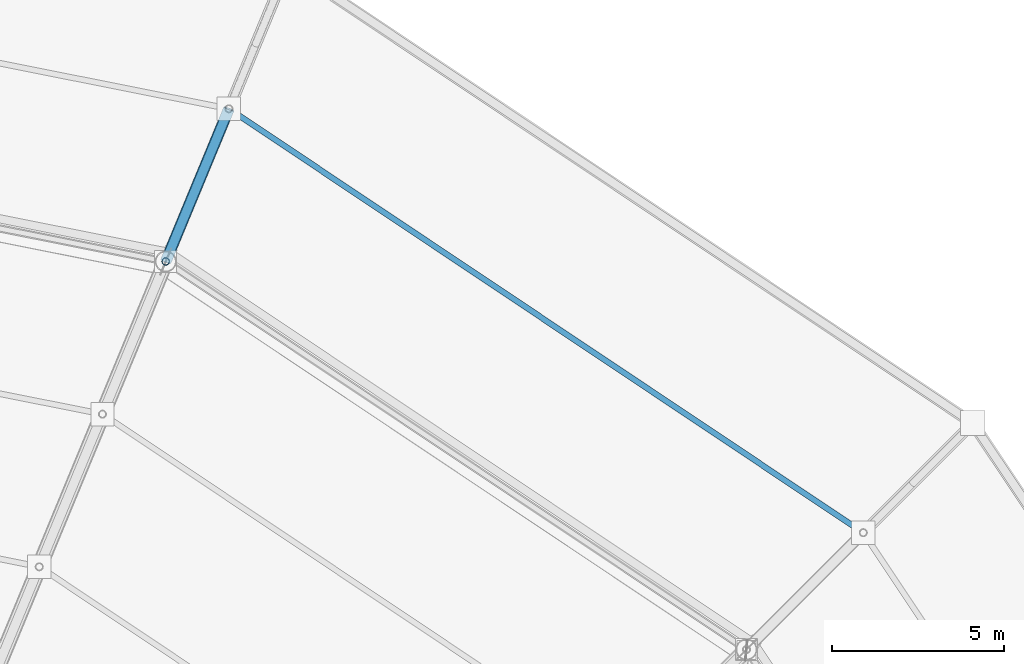
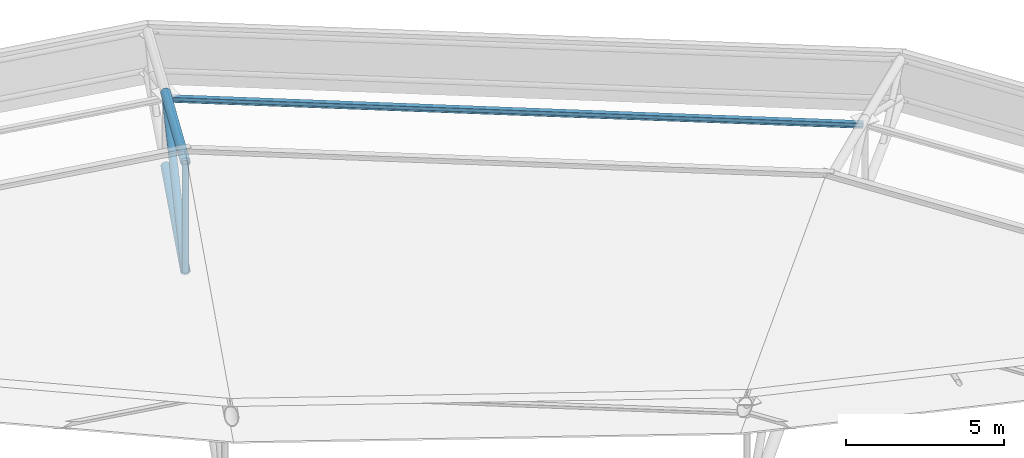
# One storey, part 100 of 146: 5 members.
"""IFC4 building model written with IfcOpenShell, lengths in metres."""

from ifc_helpers import new_model, si_unit, direction, frame, origin, origin_2d, place, context, subcontext, project, spatial, hollow_circle, i_section, extrude, material, material_profile, profile_set, type_object, element, save


model = new_model("IFC4")

# Units and contexts
model_context = context("Model", 3, precision=1e-05, world=origin(), true_north=direction((0.0, 1.0)))
body_context = subcontext(model_context, "Body", "Model", "MODEL_VIEW")
ifc_project = project(units=[si_unit("LENGTHUNIT", "METRE"), si_unit("AREAUNIT", "SQUARE_METRE"), si_unit("VOLUMEUNIT", "CUBIC_METRE"), si_unit("PLANEANGLEUNIT", "RADIAN"), si_unit("MASSUNIT", "GRAM", prefix="KILO")], contexts=[model_context])

# Site, building, storey
site_placement = place(None, origin())
site = spatial("IfcSite", under=ifc_project, at=site_placement, CompositionType="ELEMENT")
building_placement = place(site_placement, origin())
building = spatial("IfcBuilding", under=site, at=building_placement, Name="Candeia Ridge Stadium", CompositionType="ELEMENT")
storey_placement = place(building_placement, frame((0.0, 0.0, 31.800048828125)))
storey = spatial("IfcBuildingStorey", under=building, at=storey_placement, Name="RF", CompositionType="ELEMENT", Elevation=31.800048828125)

# Members
ifc_material = material(Name="Steel ASTM A572 Grade 50", Category="steel")
ifc_material_profile_1 = material_profile(ifc_material, i_section(OverallWidth=0.1650390625, OverallDepth=0.200927734375, WebThickness=0.006103515625, FlangeThickness=0.01025390625, FilletRadius=0.010009765625, at=origin_2d()), Name="W200x35.9", Category="steel")
ifc_profile_set_1 = profile_set([ifc_material_profile_1], Name="Steel ASTM A572 Grade 50")
member_type_1 = type_object("IfcMemberType", Name="Roof Purlin W200x35.9", PredefinedType="PURLIN", material=ifc_profile_set_1)
member_1_placement = place(storey_placement, frame((181.1220703125, 135.19140625, 3.73828125), z_axis=(-0.83146929699, 0.555570704918, 0.0), x_axis=(-0.555570704918, -0.83146929699, 0.0)))
element("IfcMember", 1, at=member_1_placement, inside=storey, type_object=member_type_1, Name="Saddle roof steel purlin bay 35-5", PredefinedType="PURLIN", context=body_context, shape_type="SweptSolid", body=[
    extrude(i_section(OverallWidth=0.1650390625, OverallDepth=0.200927734375, WebThickness=0.006103515625, FlangeThickness=0.01025390625, FilletRadius=0.010009765625, at=origin_2d()), origin(), (0.0, 0.0, 1.0), 22.062255859375),
])
ifc_material_profile_2 = material_profile(ifc_material, hollow_circle(Radius=0.161865234375, WallThickness=0.012451171875, at=origin_2d()), Name="CHS323x12", Category="steel")
ifc_profile_set_2 = profile_set([ifc_material_profile_2], Name="Steel ASTM A572 Grade 50")
member_type_2 = type_object("IfcMemberType", Name="Roof Truss Eaves Chord CHS323x12", PredefinedType="CHORD", material=ifc_profile_set_2)
member_2_placement = place(storey_placement, frame((160.899658203125, 143.041748046875, 4.599853515625), z_axis=(0.379276360613, 0.915748479885, -0.132492127568), x_axis=(-0.923893471471, 0.382649779007, 0.0)))
element("IfcMember", 2, at=member_2_placement, inside=storey, type_object=member_type_2, Name="Roof cantilever truss RT-36 top chord 7", PredefinedType="CHORD", context=body_context, shape_type="SweptSolid", body=[
    extrude(hollow_circle(Radius=0.161865234375, WallThickness=0.012451171875, at=origin_2d()), origin(), (0.0, 0.0, 1.0), 4.842529296875),
])
member_3_placement = place(storey_placement, frame((160.899658203125, 143.041748046875, 0.39990234375), z_axis=(0.378038852607, 0.91276056344, 0.154773317298), x_axis=(-0.923893471471, 0.382649779007, 0.0)))
element("IfcMember", 3, at=member_3_placement, inside=storey, type_object=member_type_2, Name="Roof cantilever truss RT-36 bottom chord 7", PredefinedType="CHORD", context=body_context, shape_type="SweptSolid", body=[
    extrude(hollow_circle(Radius=0.161865234375, WallThickness=0.012451171875, at=origin_2d()), origin(), (0.0, 0.0, 1.0), 4.8583984375),
])
ifc_material_profile_3 = material_profile(ifc_material, hollow_circle(Radius=0.136474609375, WallThickness=0.010009765625, at=origin_2d()), Name="CHS273x10", Category="steel")
ifc_profile_set_3 = profile_set([ifc_material_profile_3], Name="Steel ASTM A572 Grade 50")
member_type_3 = type_object("IfcMemberType", Name="Roof Truss Heavy Web Brace CHS273x10", PredefinedType="BRACE", material=ifc_profile_set_3)
member_4_placement = place(storey_placement, frame((160.899658203125, 143.041748046875, 0.39990234375), z_axis=(0.307392467594, 0.742187529095, 0.595539706923), x_axis=(-0.923893471471, 0.382649779007, 0.0)))
element("IfcMember", 4, at=member_4_placement, inside=storey, type_object=member_type_3, Name="Roof cantilever truss RT-36 diagonal web 7", PredefinedType="BRACE", context=body_context, shape_type="SweptSolid", body=[
    extrude(hollow_circle(Radius=0.136474609375, WallThickness=0.010009765625, at=origin_2d()), origin(), (0.0, 0.0, 1.0), 5.97509765625),
])
ifc_material_profile_4 = material_profile(ifc_material, hollow_circle(Radius=0.109619140625, WallThickness=0.010009765625, at=origin_2d()), Name="CHS219x10", Category="steel")
ifc_profile_set_4 = profile_set([ifc_material_profile_4], Name="Steel ASTM A572 Grade 50")
member_type_4 = type_object("IfcMemberType", Name="Roof Truss Inner Web Brace CHS219x10", PredefinedType="BRACE", material=ifc_profile_set_4)
member_5_placement = place(storey_placement, frame((160.899658203125, 143.041748046875, 0.39990234375), z_axis=(0.0, 0.0, 1.0), x_axis=(1.0, 0.0, 0.0)))
element("IfcMember", 5, at=member_5_placement, inside=storey, type_object=member_type_4, Name="Roof cantilever truss RT-36 vertical post 6", PredefinedType="BRACE", context=body_context, shape_type="SweptSolid", body=[
    extrude(hollow_circle(Radius=0.109619140625, WallThickness=0.010009765625, at=origin_2d()), origin(), (0.0, 0.0, 1.0), 4.199951171875),
])

save(model, "model.ifc")
